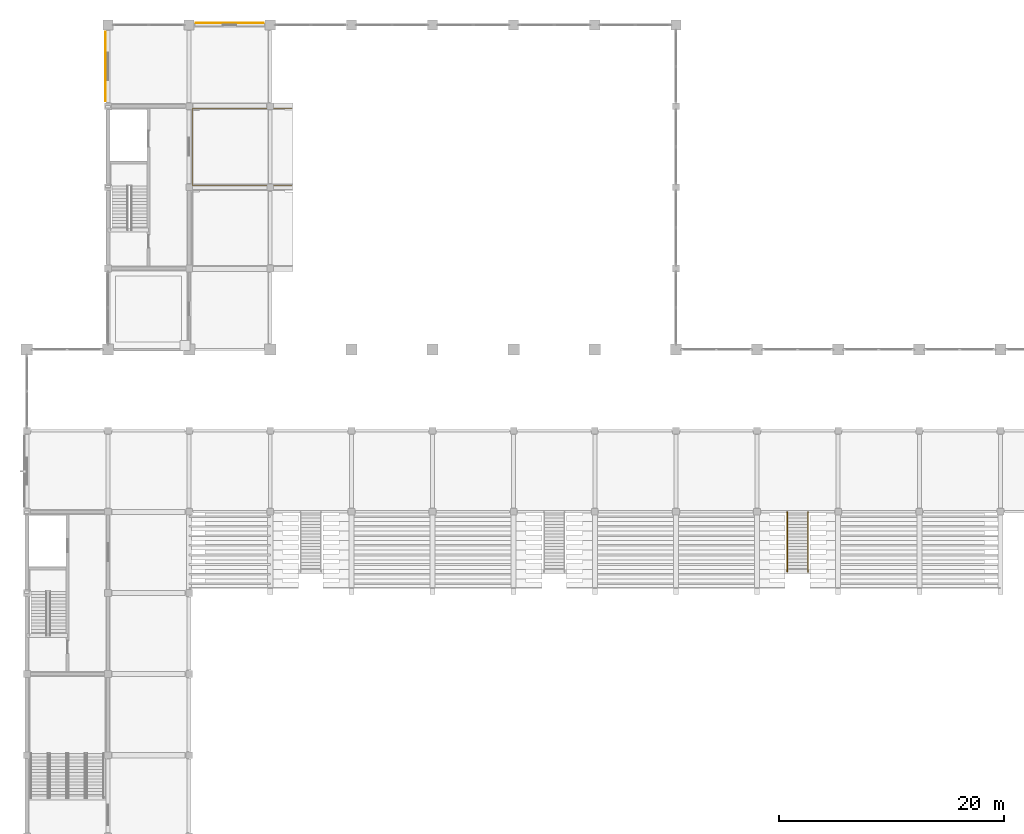
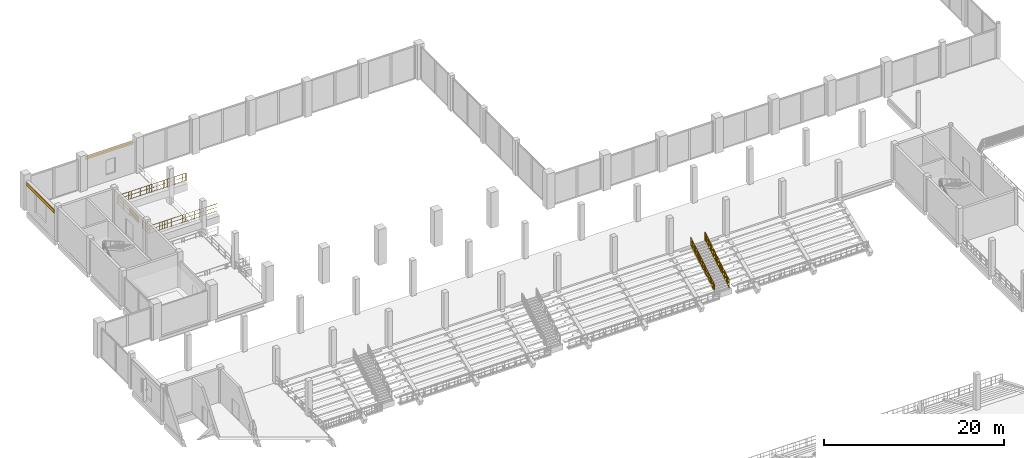
# One storey, part 92 of 99: 3 railings, 2 coverings.
"""IFC4 building model written with IfcOpenShell, lengths in metres."""

from ifc_helpers import new_model, si_unit, direction, frame, frame_2d, origin, origin_2d, place, context, subcontext, project, spatial, rectangle, circle, extrude, material, layer, layer_set, type_object, element, save


model = new_model("IFC4")

# Units and contexts
model_context = context("Model", 3, precision=1e-05, world=origin(), true_north=direction((0.0, 1.0)))
body_context = subcontext(model_context, "Body", "Model", "MODEL_VIEW")
ifc_project = project(units=[si_unit("LENGTHUNIT", "METRE"), si_unit("AREAUNIT", "SQUARE_METRE"), si_unit("VOLUMEUNIT", "CUBIC_METRE"), si_unit("PLANEANGLEUNIT", "RADIAN"), si_unit("MASSUNIT", "GRAM", prefix="KILO")], contexts=[model_context])

# Site, building, storey
site_placement = place(None, origin())
site = spatial("IfcSite", under=ifc_project, at=site_placement, CompositionType="ELEMENT")
building_placement = place(site_placement, origin())
building = spatial("IfcBuilding", under=site, at=building_placement, Name="Vesperath Aquatics Centre", CompositionType="ELEMENT")
storey_placement = place(building_placement, frame((0.0, 0.0, 5.39990234375)))
storey = spatial("IfcBuildingStorey", under=building, at=storey_placement, Name="L01", CompositionType="ELEMENT", Elevation=5.39990234375)

# Coverings
ifc_material_1 = material(Name="Teal and ochre glazed ceramic majolica frieze", Category="ceramic")
ifc_layer = layer(ifc_material_1, 0.0400390625)
ifc_layer_set = layer_set([ifc_layer], Name="Teal and ochre glazed ceramic majolica frieze")
covering_type = type_object("IfcCoveringType", Name="CV-CLD01", PredefinedType="CLADDING", material=ifc_layer_set)
covering_1_placement = place(storey_placement, frame((15.0, 115.39990234375, 3.64013671875), z_axis=(0.0, 0.0, 1.0), x_axis=(1.0, 0.0, 0.0)))
element("IfcCovering", 1, at=covering_1_placement, inside=storey, type_object=covering_type, Name="Majolica Ceramic Frieze CLD1 L01_N_02_16", PredefinedType="CLADDING", context=body_context, shape_type="SweptSolid", body=[
    extrude(rectangle(XDim=6.0, YDim=0.0400390625, at=frame_2d((3.0, 0.0))), origin(), (0.0, 0.0, 1.0), 0.469970703125),
])
covering_2_placement = place(storey_placement, frame((6.989990234375, 108.449951171875, 3.402099609375), z_axis=(0.0, 0.0, 1.0), x_axis=(0.0, 1.0, 0.0)))
element("IfcCovering", 2, at=covering_2_placement, inside=storey, type_object=covering_type, Name="Majolica Ceramic Frieze CLD1 L01_W_01_15", PredefinedType="CLADDING", context=body_context, shape_type="SweptSolid", body=[
    extrude(rectangle(XDim=6.150146484375, YDim=0.0400390625, at=frame_2d((3.0751953125, 0.0))), origin(), (0.0, 0.0, 1.0), 0.469970703125),
])

# Railings
ifc_material_2 = material(Name="Powder-coated galvanized steel safety guard", Category="steel")
railing_type = type_object("IfcRailingType", Name="RL-GRD01", PredefinedType="GUARDRAIL", material=ifc_material_2)
railing_1_placement = place(storey_placement, frame((67.47998046875, 66.679931640625, -3.199951171875)))
element("IfcRailing", 3, at=railing_1_placement, inside=storey, type_object=railing_type, Name="Vomitory VOM-06 Guardrail GR02-W", PredefinedType="GUARDRAIL", context=body_context, shape_type="SweptSolid", body=[
    extrude(circle(Radius=0.02392578125, at=origin_2d()), frame((0.0, 0.0, 1.0859375), z_axis=(0.0, 0.85693029826, 0.515432307801), x_axis=(-1.0, 0.0, 0.0)), (0.0, 0.0, 1.0), 6.208251953125),
    extrude(circle(Radius=0.01611328125, at=origin_2d()), frame((0.0, 0.0, 0.10009765625), z_axis=(0.0, 0.85693029826, 0.515432307801), x_axis=(-1.0, 0.0, 0.0)), (0.0, 0.0, 1.0), 6.208251953125),
    extrude(circle(Radius=0.01611328125, at=origin_2d()), frame((0.0, 0.0, 0.610595703125), z_axis=(0.0, 0.85693029826, 0.515432307801), x_axis=(-1.0, 0.0, 0.0)), (0.0, 0.0, 1.0), 6.208251953125),
    extrude(circle(Radius=0.009033203125, at=origin_2d()), frame((0.0, 0.09326171875, 0.15625)), (0.0, 0.0, 1.0), 0.9619140625),
    extrude(circle(Radius=0.009033203125, at=origin_2d()), frame((0.0, 0.280029296875, 0.2685546875)), (0.0, 0.0, 1.0), 0.9619140625),
    extrude(circle(Radius=0.009033203125, at=origin_2d()), frame((0.0, 0.466552734375, 0.380859375)), (0.0, 0.0, 1.0), 0.9619140625),
    extrude(circle(Radius=0.009033203125, at=origin_2d()), frame((0.0, 0.6533203125, 0.4931640625)), (0.0, 0.0, 1.0), 0.9619140625),
    extrude(circle(Radius=0.009033203125, at=origin_2d()), frame((0.0, 0.840087890625, 0.60546875)), (0.0, 0.0, 1.0), 0.9619140625),
    extrude(circle(Radius=0.009033203125, at=origin_2d()), frame((0.0, 1.026611328125, 0.717529296875)), (0.0, 0.0, 1.0), 0.9619140625),
    extrude(circle(Radius=0.009033203125, at=origin_2d()), frame((0.0, 1.21337890625, 0.829833984375)), (0.0, 0.0, 1.0), 0.9619140625),
    extrude(circle(Radius=0.009033203125, at=origin_2d()), frame((0.0, 1.39990234375, 0.942138671875)), (0.0, 0.0, 1.0), 0.9619140625),
    extrude(circle(Radius=0.009033203125, at=origin_2d()), frame((0.0, 1.586669921875, 1.054443359375)), (0.0, 0.0, 1.0), 0.9619140625),
    extrude(circle(Radius=0.009033203125, at=origin_2d()), frame((0.0, 1.7734375, 1.166748046875)), (0.0, 0.0, 1.0), 0.9619140625),
    extrude(circle(Radius=0.009033203125, at=origin_2d()), frame((0.0, 1.9599609375, 1.279052734375)), (0.0, 0.0, 1.0), 0.9619140625),
    extrude(circle(Radius=0.009033203125, at=origin_2d()), frame((0.0, 2.146728515625, 1.391357421875)), (0.0, 0.0, 1.0), 0.9619140625),
    extrude(circle(Radius=0.009033203125, at=origin_2d()), frame((0.0, 2.333251953125, 1.503662109375)), (0.0, 0.0, 1.0), 0.9619140625),
    extrude(circle(Radius=0.009033203125, at=origin_2d()), frame((0.0, 2.52001953125, 1.615966796875)), (0.0, 0.0, 1.0), 0.9619140625),
    extrude(circle(Radius=0.009033203125, at=origin_2d()), frame((0.0, 2.706787109375, 1.72802734375)), (0.0, 0.0, 1.0), 0.9619140625),
    extrude(circle(Radius=0.009033203125, at=origin_2d()), frame((0.0, 2.893310546875, 1.84033203125)), (0.0, 0.0, 1.0), 0.9619140625),
    extrude(circle(Radius=0.009033203125, at=origin_2d()), frame((0.0, 3.080078125, 1.95263671875)), (0.0, 0.0, 1.0), 0.9619140625),
    extrude(circle(Radius=0.009033203125, at=origin_2d()), frame((0.0, 3.2666015625, 2.06494140625)), (0.0, 0.0, 1.0), 0.9619140625),
    extrude(circle(Radius=0.009033203125, at=origin_2d()), frame((0.0, 3.453369140625, 2.17724609375)), (0.0, 0.0, 1.0), 0.9619140625),
    extrude(circle(Radius=0.009033203125, at=origin_2d()), frame((0.0, 3.64013671875, 2.28955078125)), (0.0, 0.0, 1.0), 0.9619140625),
    extrude(circle(Radius=0.009033203125, at=origin_2d()), frame((0.0, 3.82666015625, 2.40185546875)), (0.0, 0.0, 1.0), 0.9619140625),
    extrude(circle(Radius=0.009033203125, at=origin_2d()), frame((0.0, 4.013427734375, 2.51416015625)), (0.0, 0.0, 1.0), 0.9619140625),
    extrude(circle(Radius=0.009033203125, at=origin_2d()), frame((0.0, 4.199951171875, 2.62646484375)), (0.0, 0.0, 1.0), 0.9619140625),
    extrude(circle(Radius=0.009033203125, at=origin_2d()), frame((0.0, 4.38671875, 2.73876953125)), (0.0, 0.0, 1.0), 0.9619140625),
    extrude(circle(Radius=0.009033203125, at=origin_2d()), frame((0.0, 4.573486328125, 2.850830078125)), (0.0, 0.0, 1.0), 0.9619140625),
    extrude(circle(Radius=0.009033203125, at=origin_2d()), frame((0.0, 4.760009765625, 2.963134765625)), (0.0, 0.0, 1.0), 0.9619140625),
    extrude(circle(Radius=0.009033203125, at=origin_2d()), frame((0.0, 4.94677734375, 3.075439453125)), (0.0, 0.0, 1.0), 0.9619140625),
    extrude(circle(Radius=0.009033203125, at=origin_2d()), frame((0.0, 5.13330078125, 3.187744140625)), (0.0, 0.0, 1.0), 0.9619140625),
    extrude(circle(Radius=0.02197265625, at=origin_2d()), origin(), (0.0, 0.0, 1.0), 1.0859375),
    extrude(circle(Radius=0.02197265625, at=origin_2d()), frame((0.0, 0.88671875, 0.533203125)), (0.0, 0.0, 1.0), 1.0859375),
    extrude(circle(Radius=0.02197265625, at=origin_2d()), frame((0.0, 1.7734375, 1.066650390625)), (0.0, 0.0, 1.0), 1.0859375),
    extrude(circle(Radius=0.02197265625, at=origin_2d()), frame((0.0, 2.66015625, 1.60009765625)), (0.0, 0.0, 1.0), 1.0859375),
    extrude(circle(Radius=0.02197265625, at=origin_2d()), frame((0.0, 3.546630859375, 2.13330078125)), (0.0, 0.0, 1.0), 1.0859375),
    extrude(circle(Radius=0.02197265625, at=origin_2d()), frame((0.0, 4.433349609375, 2.66650390625)), (0.0, 0.0, 1.0), 1.0859375),
    extrude(circle(Radius=0.02197265625, at=origin_2d()), frame((0.0, 5.320068359375, 3.199951171875)), (0.0, 0.0, 1.0), 1.0859375),
])
railing_2_placement = place(storey_placement, frame((69.320068359375, 66.679931640625, -3.199951171875)))
element("IfcRailing", 4, at=railing_2_placement, inside=storey, type_object=railing_type, Name="Vomitory VOM-06 Guardrail GR02-E", PredefinedType="GUARDRAIL", context=body_context, shape_type="SweptSolid", body=[
    extrude(circle(Radius=0.02392578125, at=origin_2d()), frame((0.0, 0.0, 1.0859375), z_axis=(0.0, 0.85693029826, 0.515432307801), x_axis=(-1.0, 0.0, 0.0)), (0.0, 0.0, 1.0), 6.208251953125),
    extrude(circle(Radius=0.01611328125, at=origin_2d()), frame((0.0, 0.0, 0.10009765625), z_axis=(0.0, 0.85693029826, 0.515432307801), x_axis=(-1.0, 0.0, 0.0)), (0.0, 0.0, 1.0), 6.208251953125),
    extrude(circle(Radius=0.01611328125, at=origin_2d()), frame((0.0, 0.0, 0.610595703125), z_axis=(0.0, 0.85693029826, 0.515432307801), x_axis=(-1.0, 0.0, 0.0)), (0.0, 0.0, 1.0), 6.208251953125),
    extrude(circle(Radius=0.009033203125, at=origin_2d()), frame((0.0, 0.09326171875, 0.15625)), (0.0, 0.0, 1.0), 0.9619140625),
    extrude(circle(Radius=0.009033203125, at=origin_2d()), frame((0.0, 0.280029296875, 0.2685546875)), (0.0, 0.0, 1.0), 0.9619140625),
    extrude(circle(Radius=0.009033203125, at=origin_2d()), frame((0.0, 0.466552734375, 0.380859375)), (0.0, 0.0, 1.0), 0.9619140625),
    extrude(circle(Radius=0.009033203125, at=origin_2d()), frame((0.0, 0.6533203125, 0.4931640625)), (0.0, 0.0, 1.0), 0.9619140625),
    extrude(circle(Radius=0.009033203125, at=origin_2d()), frame((0.0, 0.840087890625, 0.60546875)), (0.0, 0.0, 1.0), 0.9619140625),
    extrude(circle(Radius=0.009033203125, at=origin_2d()), frame((0.0, 1.026611328125, 0.717529296875)), (0.0, 0.0, 1.0), 0.9619140625),
    extrude(circle(Radius=0.009033203125, at=origin_2d()), frame((0.0, 1.21337890625, 0.829833984375)), (0.0, 0.0, 1.0), 0.9619140625),
    extrude(circle(Radius=0.009033203125, at=origin_2d()), frame((0.0, 1.39990234375, 0.942138671875)), (0.0, 0.0, 1.0), 0.9619140625),
    extrude(circle(Radius=0.009033203125, at=origin_2d()), frame((0.0, 1.586669921875, 1.054443359375)), (0.0, 0.0, 1.0), 0.9619140625),
    extrude(circle(Radius=0.009033203125, at=origin_2d()), frame((0.0, 1.7734375, 1.166748046875)), (0.0, 0.0, 1.0), 0.9619140625),
    extrude(circle(Radius=0.009033203125, at=origin_2d()), frame((0.0, 1.9599609375, 1.279052734375)), (0.0, 0.0, 1.0), 0.9619140625),
    extrude(circle(Radius=0.009033203125, at=origin_2d()), frame((0.0, 2.146728515625, 1.391357421875)), (0.0, 0.0, 1.0), 0.9619140625),
    extrude(circle(Radius=0.009033203125, at=origin_2d()), frame((0.0, 2.333251953125, 1.503662109375)), (0.0, 0.0, 1.0), 0.9619140625),
    extrude(circle(Radius=0.009033203125, at=origin_2d()), frame((0.0, 2.52001953125, 1.615966796875)), (0.0, 0.0, 1.0), 0.9619140625),
    extrude(circle(Radius=0.009033203125, at=origin_2d()), frame((0.0, 2.706787109375, 1.72802734375)), (0.0, 0.0, 1.0), 0.9619140625),
    extrude(circle(Radius=0.009033203125, at=origin_2d()), frame((0.0, 2.893310546875, 1.84033203125)), (0.0, 0.0, 1.0), 0.9619140625),
    extrude(circle(Radius=0.009033203125, at=origin_2d()), frame((0.0, 3.080078125, 1.95263671875)), (0.0, 0.0, 1.0), 0.9619140625),
    extrude(circle(Radius=0.009033203125, at=origin_2d()), frame((0.0, 3.2666015625, 2.06494140625)), (0.0, 0.0, 1.0), 0.9619140625),
    extrude(circle(Radius=0.009033203125, at=origin_2d()), frame((0.0, 3.453369140625, 2.17724609375)), (0.0, 0.0, 1.0), 0.9619140625),
    extrude(circle(Radius=0.009033203125, at=origin_2d()), frame((0.0, 3.64013671875, 2.28955078125)), (0.0, 0.0, 1.0), 0.9619140625),
    extrude(circle(Radius=0.009033203125, at=origin_2d()), frame((0.0, 3.82666015625, 2.40185546875)), (0.0, 0.0, 1.0), 0.9619140625),
    extrude(circle(Radius=0.009033203125, at=origin_2d()), frame((0.0, 4.013427734375, 2.51416015625)), (0.0, 0.0, 1.0), 0.9619140625),
    extrude(circle(Radius=0.009033203125, at=origin_2d()), frame((0.0, 4.199951171875, 2.62646484375)), (0.0, 0.0, 1.0), 0.9619140625),
    extrude(circle(Radius=0.009033203125, at=origin_2d()), frame((0.0, 4.38671875, 2.73876953125)), (0.0, 0.0, 1.0), 0.9619140625),
    extrude(circle(Radius=0.009033203125, at=origin_2d()), frame((0.0, 4.573486328125, 2.850830078125)), (0.0, 0.0, 1.0), 0.9619140625),
    extrude(circle(Radius=0.009033203125, at=origin_2d()), frame((0.0, 4.760009765625, 2.963134765625)), (0.0, 0.0, 1.0), 0.9619140625),
    extrude(circle(Radius=0.009033203125, at=origin_2d()), frame((0.0, 4.94677734375, 3.075439453125)), (0.0, 0.0, 1.0), 0.9619140625),
    extrude(circle(Radius=0.009033203125, at=origin_2d()), frame((0.0, 5.13330078125, 3.187744140625)), (0.0, 0.0, 1.0), 0.9619140625),
    extrude(circle(Radius=0.02197265625, at=origin_2d()), origin(), (0.0, 0.0, 1.0), 1.0859375),
    extrude(circle(Radius=0.02197265625, at=origin_2d()), frame((0.0, 0.88671875, 0.533203125)), (0.0, 0.0, 1.0), 1.0859375),
    extrude(circle(Radius=0.02197265625, at=origin_2d()), frame((0.0, 1.7734375, 1.066650390625)), (0.0, 0.0, 1.0), 1.0859375),
    extrude(circle(Radius=0.02197265625, at=origin_2d()), frame((0.0, 2.66015625, 1.60009765625)), (0.0, 0.0, 1.0), 1.0859375),
    extrude(circle(Radius=0.02197265625, at=origin_2d()), frame((0.0, 3.546630859375, 2.13330078125)), (0.0, 0.0, 1.0), 1.0859375),
    extrude(circle(Radius=0.02197265625, at=origin_2d()), frame((0.0, 4.433349609375, 2.66650390625)), (0.0, 0.0, 1.0), 1.0859375),
    extrude(circle(Radius=0.02197265625, at=origin_2d()), frame((0.0, 5.320068359375, 3.199951171875)), (0.0, 0.0, 1.0), 1.0859375),
])
railing_3_placement = place(storey_placement, frame((23.5, 100.949951171875, 2.400146484375)))
element("IfcRailing", 5, at=railing_3_placement, inside=storey, type_object=railing_type, Name="Safety Guardrail GR02 GRD_DP_7M5", PredefinedType="GUARDRAIL", context=body_context, shape_type="SweptSolid", body=[
    extrude(circle(Radius=0.02392578125, at=origin_2d()), frame((0.0, 0.0, 1.0859375), z_axis=(-1.0, 0.0, 0.0), x_axis=(0.0, -1.0, 0.0)), (0.0, 0.0, 1.0), 8.780029296875),
    extrude(circle(Radius=0.01611328125, at=origin_2d()), frame((0.0, 0.0, 0.10009765625), z_axis=(-1.0, 0.0, 0.0), x_axis=(0.0, -1.0, 0.0)), (0.0, 0.0, 1.0), 8.780029296875),
    extrude(circle(Radius=0.01611328125, at=origin_2d()), frame((0.0, 0.0, 0.610595703125), z_axis=(-1.0, 0.0, 0.0), x_axis=(0.0, -1.0, 0.0)), (0.0, 0.0, 1.0), 8.780029296875),
    extrude(circle(Radius=0.009033203125, at=origin_2d()), frame((-0.10986328125, 0.0, 0.10009765625)), (0.0, 0.0, 1.0), 0.9619140625),
    extrude(circle(Radius=0.009033203125, at=origin_2d()), frame((-0.43896484375, 0.0, 0.10009765625)), (0.0, 0.0, 1.0), 0.9619140625),
    extrude(circle(Radius=0.009033203125, at=origin_2d()), frame((-0.768310546875, 0.0, 0.10009765625)), (0.0, 0.0, 1.0), 0.9619140625),
    extrude(circle(Radius=0.009033203125, at=origin_2d()), frame((-1.097412109375, 0.0, 0.10009765625)), (0.0, 0.0, 1.0), 0.9619140625),
    extrude(circle(Radius=0.009033203125, at=origin_2d()), frame((-1.4267578125, 0.0, 0.10009765625)), (0.0, 0.0, 1.0), 0.9619140625),
    extrude(circle(Radius=0.009033203125, at=origin_2d()), frame((-1.756103515625, 0.0, 0.10009765625)), (0.0, 0.0, 1.0), 0.9619140625),
    extrude(circle(Radius=0.009033203125, at=origin_2d()), frame((-2.085205078125, 0.0, 0.10009765625)), (0.0, 0.0, 1.0), 0.9619140625),
    extrude(circle(Radius=0.009033203125, at=origin_2d()), frame((-2.41455078125, 0.0, 0.10009765625)), (0.0, 0.0, 1.0), 0.9619140625),
    extrude(circle(Radius=0.009033203125, at=origin_2d()), frame((-2.74365234375, 0.0, 0.10009765625)), (0.0, 0.0, 1.0), 0.9619140625),
    extrude(circle(Radius=0.009033203125, at=origin_2d()), frame((-3.072998046875, 0.0, 0.10009765625)), (0.0, 0.0, 1.0), 0.9619140625),
    extrude(circle(Radius=0.009033203125, at=origin_2d()), frame((-3.40234375, 0.0, 0.10009765625)), (0.0, 0.0, 1.0), 0.9619140625),
    extrude(circle(Radius=0.009033203125, at=origin_2d()), frame((-3.7314453125, 0.0, 0.10009765625)), (0.0, 0.0, 1.0), 0.9619140625),
    extrude(circle(Radius=0.009033203125, at=origin_2d()), frame((-4.060791015625, 0.0, 0.10009765625)), (0.0, 0.0, 1.0), 0.9619140625),
    extrude(circle(Radius=0.009033203125, at=origin_2d()), frame((-4.39013671875, 0.0, 0.10009765625)), (0.0, 0.0, 1.0), 0.9619140625),
    extrude(circle(Radius=0.009033203125, at=origin_2d()), frame((-4.71923828125, 0.0, 0.10009765625)), (0.0, 0.0, 1.0), 0.9619140625),
    extrude(circle(Radius=0.009033203125, at=origin_2d()), frame((-5.048583984375, 0.0, 0.10009765625)), (0.0, 0.0, 1.0), 0.9619140625),
    extrude(circle(Radius=0.009033203125, at=origin_2d()), frame((-5.377685546875, 0.0, 0.10009765625)), (0.0, 0.0, 1.0), 0.9619140625),
    extrude(circle(Radius=0.009033203125, at=origin_2d()), frame((-5.70703125, 0.0, 0.10009765625)), (0.0, 0.0, 1.0), 0.9619140625),
    extrude(circle(Radius=0.009033203125, at=origin_2d()), frame((-6.036376953125, 0.0, 0.10009765625)), (0.0, 0.0, 1.0), 0.9619140625),
    extrude(circle(Radius=0.009033203125, at=origin_2d()), frame((-6.365478515625, 0.0, 0.10009765625)), (0.0, 0.0, 1.0), 0.9619140625),
    extrude(circle(Radius=0.009033203125, at=origin_2d()), frame((-6.69482421875, 0.0, 0.10009765625)), (0.0, 0.0, 1.0), 0.9619140625),
    extrude(circle(Radius=0.009033203125, at=origin_2d()), frame((-7.02392578125, 0.0, 0.10009765625)), (0.0, 0.0, 1.0), 0.9619140625),
    extrude(circle(Radius=0.009033203125, at=origin_2d()), frame((-7.353271484375, 0.0, 0.10009765625)), (0.0, 0.0, 1.0), 0.9619140625),
    extrude(circle(Radius=0.009033203125, at=origin_2d()), frame((-7.6826171875, 0.0, 0.10009765625)), (0.0, 0.0, 1.0), 0.9619140625),
    extrude(circle(Radius=0.009033203125, at=origin_2d()), frame((-8.01171875, 0.0, 0.10009765625)), (0.0, 0.0, 1.0), 0.9619140625),
    extrude(circle(Radius=0.009033203125, at=origin_2d()), frame((-8.341064453125, 0.0, 0.10009765625)), (0.0, 0.0, 1.0), 0.9619140625),
    extrude(circle(Radius=0.009033203125, at=origin_2d()), frame((-8.670166015625, 0.0, 0.10009765625)), (0.0, 0.0, 1.0), 0.9619140625),
    extrude(circle(Radius=0.02392578125, at=origin_2d()), frame((-8.780029296875, 0.0, 1.0859375), z_axis=(0.0, 1.0, 0.0), x_axis=(-1.0, 0.0, 0.0)), (0.0, 0.0, 1.0), 6.85009765625),
    extrude(circle(Radius=0.01611328125, at=origin_2d()), frame((-8.780029296875, 0.0, 0.10009765625), z_axis=(0.0, 1.0, 0.0), x_axis=(-1.0, 0.0, 0.0)), (0.0, 0.0, 1.0), 6.85009765625),
    extrude(circle(Radius=0.01611328125, at=origin_2d()), frame((-8.780029296875, 0.0, 0.610595703125), z_axis=(0.0, 1.0, 0.0), x_axis=(-1.0, 0.0, 0.0)), (0.0, 0.0, 1.0), 6.85009765625),
    extrude(circle(Radius=0.009033203125, at=origin_2d()), frame((-8.780029296875, 0.108642578125, 0.10009765625)), (0.0, 0.0, 1.0), 0.9619140625),
    extrude(circle(Radius=0.009033203125, at=origin_2d()), frame((-8.780029296875, 0.326171875, 0.10009765625)), (0.0, 0.0, 1.0), 0.9619140625),
    extrude(circle(Radius=0.009033203125, at=origin_2d()), frame((-8.780029296875, 0.543701171875, 0.10009765625)), (0.0, 0.0, 1.0), 0.9619140625),
    extrude(circle(Radius=0.009033203125, at=origin_2d()), frame((-8.780029296875, 0.76123046875, 0.10009765625)), (0.0, 0.0, 1.0), 0.9619140625),
    extrude(circle(Radius=0.009033203125, at=origin_2d()), frame((-8.780029296875, 0.978515625, 0.10009765625)), (0.0, 0.0, 1.0), 0.9619140625),
    extrude(circle(Radius=0.009033203125, at=origin_2d()), frame((-8.780029296875, 1.196044921875, 0.10009765625)), (0.0, 0.0, 1.0), 0.9619140625),
    extrude(circle(Radius=0.009033203125, at=origin_2d()), frame((-8.780029296875, 1.41357421875, 0.10009765625)), (0.0, 0.0, 1.0), 0.9619140625),
    extrude(circle(Radius=0.009033203125, at=origin_2d()), frame((-8.780029296875, 1.630859375, 0.10009765625)), (0.0, 0.0, 1.0), 0.9619140625),
    extrude(circle(Radius=0.009033203125, at=origin_2d()), frame((-8.780029296875, 1.848388671875, 0.10009765625)), (0.0, 0.0, 1.0), 0.9619140625),
    extrude(circle(Radius=0.009033203125, at=origin_2d()), frame((-8.780029296875, 2.06591796875, 0.10009765625)), (0.0, 0.0, 1.0), 0.9619140625),
    extrude(circle(Radius=0.009033203125, at=origin_2d()), frame((-8.780029296875, 2.283447265625, 0.10009765625)), (0.0, 0.0, 1.0), 0.9619140625),
    extrude(circle(Radius=0.009033203125, at=origin_2d()), frame((-8.780029296875, 2.500732421875, 0.10009765625)), (0.0, 0.0, 1.0), 0.9619140625),
    extrude(circle(Radius=0.009033203125, at=origin_2d()), frame((-8.780029296875, 2.71826171875, 0.10009765625)), (0.0, 0.0, 1.0), 0.9619140625),
    extrude(circle(Radius=0.009033203125, at=origin_2d()), frame((-8.780029296875, 2.935791015625, 0.10009765625)), (0.0, 0.0, 1.0), 0.9619140625),
    extrude(circle(Radius=0.009033203125, at=origin_2d()), frame((-8.780029296875, 3.1533203125, 0.10009765625)), (0.0, 0.0, 1.0), 0.9619140625),
    extrude(circle(Radius=0.009033203125, at=origin_2d()), frame((-8.780029296875, 3.37060546875, 0.10009765625)), (0.0, 0.0, 1.0), 0.9619140625),
    extrude(circle(Radius=0.009033203125, at=origin_2d()), frame((-8.780029296875, 3.588134765625, 0.10009765625)), (0.0, 0.0, 1.0), 0.9619140625),
    extrude(circle(Radius=0.009033203125, at=origin_2d()), frame((-8.780029296875, 3.8056640625, 0.10009765625)), (0.0, 0.0, 1.0), 0.9619140625),
    extrude(circle(Radius=0.009033203125, at=origin_2d()), frame((-8.780029296875, 4.023193359375, 0.10009765625)), (0.0, 0.0, 1.0), 0.9619140625),
    extrude(circle(Radius=0.009033203125, at=origin_2d()), frame((-8.780029296875, 4.240478515625, 0.10009765625)), (0.0, 0.0, 1.0), 0.9619140625),
    extrude(circle(Radius=0.009033203125, at=origin_2d()), frame((-8.780029296875, 4.4580078125, 0.10009765625)), (0.0, 0.0, 1.0), 0.9619140625),
    extrude(circle(Radius=0.009033203125, at=origin_2d()), frame((-8.780029296875, 4.675537109375, 0.10009765625)), (0.0, 0.0, 1.0), 0.9619140625),
    extrude(circle(Radius=0.009033203125, at=origin_2d()), frame((-8.780029296875, 4.892822265625, 0.10009765625)), (0.0, 0.0, 1.0), 0.9619140625),
    extrude(circle(Radius=0.009033203125, at=origin_2d()), frame((-8.780029296875, 5.1103515625, 0.10009765625)), (0.0, 0.0, 1.0), 0.9619140625),
    extrude(circle(Radius=0.009033203125, at=origin_2d()), frame((-8.780029296875, 5.327880859375, 0.10009765625)), (0.0, 0.0, 1.0), 0.9619140625),
    extrude(circle(Radius=0.009033203125, at=origin_2d()), frame((-8.780029296875, 5.54541015625, 0.10009765625)), (0.0, 0.0, 1.0), 0.9619140625),
    extrude(circle(Radius=0.009033203125, at=origin_2d()), frame((-8.780029296875, 5.7626953125, 0.10009765625)), (0.0, 0.0, 1.0), 0.9619140625),
    extrude(circle(Radius=0.009033203125, at=origin_2d()), frame((-8.780029296875, 5.980224609375, 0.10009765625)), (0.0, 0.0, 1.0), 0.9619140625),
    extrude(circle(Radius=0.009033203125, at=origin_2d()), frame((-8.780029296875, 6.19775390625, 0.10009765625)), (0.0, 0.0, 1.0), 0.9619140625),
    extrude(circle(Radius=0.009033203125, at=origin_2d()), frame((-8.780029296875, 6.415283203125, 0.10009765625)), (0.0, 0.0, 1.0), 0.9619140625),
    extrude(circle(Radius=0.009033203125, at=origin_2d()), frame((-8.780029296875, 6.632568359375, 0.10009765625)), (0.0, 0.0, 1.0), 0.9619140625),
    extrude(circle(Radius=0.02392578125, at=origin_2d()), frame((-8.780029296875, 6.85009765625, 1.0859375), z_axis=(1.0, 0.0, 0.0), x_axis=(0.0, 1.0, 0.0)), (0.0, 0.0, 1.0), 8.780029296875),
    extrude(circle(Radius=0.01611328125, at=origin_2d()), frame((-8.780029296875, 6.85009765625, 0.10009765625), z_axis=(1.0, 0.0, 0.0), x_axis=(0.0, 1.0, 0.0)), (0.0, 0.0, 1.0), 8.780029296875),
    extrude(circle(Radius=0.01611328125, at=origin_2d()), frame((-8.780029296875, 6.85009765625, 0.610595703125), z_axis=(1.0, 0.0, 0.0), x_axis=(0.0, 1.0, 0.0)), (0.0, 0.0, 1.0), 8.780029296875),
    extrude(circle(Radius=0.009033203125, at=origin_2d()), frame((-8.670166015625, 6.85009765625, 0.10009765625)), (0.0, 0.0, 1.0), 0.9619140625),
    extrude(circle(Radius=0.009033203125, at=origin_2d()), frame((-8.341064453125, 6.85009765625, 0.10009765625)), (0.0, 0.0, 1.0), 0.9619140625),
    extrude(circle(Radius=0.009033203125, at=origin_2d()), frame((-8.01171875, 6.85009765625, 0.10009765625)), (0.0, 0.0, 1.0), 0.9619140625),
    extrude(circle(Radius=0.009033203125, at=origin_2d()), frame((-7.6826171875, 6.85009765625, 0.10009765625)), (0.0, 0.0, 1.0), 0.9619140625),
    extrude(circle(Radius=0.009033203125, at=origin_2d()), frame((-7.353271484375, 6.85009765625, 0.10009765625)), (0.0, 0.0, 1.0), 0.9619140625),
    extrude(circle(Radius=0.009033203125, at=origin_2d()), frame((-7.02392578125, 6.85009765625, 0.10009765625)), (0.0, 0.0, 1.0), 0.9619140625),
    extrude(circle(Radius=0.009033203125, at=origin_2d()), frame((-6.69482421875, 6.85009765625, 0.10009765625)), (0.0, 0.0, 1.0), 0.9619140625),
    extrude(circle(Radius=0.009033203125, at=origin_2d()), frame((-6.365478515625, 6.85009765625, 0.10009765625)), (0.0, 0.0, 1.0), 0.9619140625),
    extrude(circle(Radius=0.009033203125, at=origin_2d()), frame((-6.036376953125, 6.85009765625, 0.10009765625)), (0.0, 0.0, 1.0), 0.9619140625),
    extrude(circle(Radius=0.009033203125, at=origin_2d()), frame((-5.70703125, 6.85009765625, 0.10009765625)), (0.0, 0.0, 1.0), 0.9619140625),
    extrude(circle(Radius=0.009033203125, at=origin_2d()), frame((-5.377685546875, 6.85009765625, 0.10009765625)), (0.0, 0.0, 1.0), 0.9619140625),
    extrude(circle(Radius=0.009033203125, at=origin_2d()), frame((-5.048583984375, 6.85009765625, 0.10009765625)), (0.0, 0.0, 1.0), 0.9619140625),
    extrude(circle(Radius=0.009033203125, at=origin_2d()), frame((-4.71923828125, 6.85009765625, 0.10009765625)), (0.0, 0.0, 1.0), 0.9619140625),
    extrude(circle(Radius=0.009033203125, at=origin_2d()), frame((-4.39013671875, 6.85009765625, 0.10009765625)), (0.0, 0.0, 1.0), 0.9619140625),
    extrude(circle(Radius=0.009033203125, at=origin_2d()), frame((-4.060791015625, 6.85009765625, 0.10009765625)), (0.0, 0.0, 1.0), 0.9619140625),
    extrude(circle(Radius=0.009033203125, at=origin_2d()), frame((-3.7314453125, 6.85009765625, 0.10009765625)), (0.0, 0.0, 1.0), 0.9619140625),
    extrude(circle(Radius=0.009033203125, at=origin_2d()), frame((-3.40234375, 6.85009765625, 0.10009765625)), (0.0, 0.0, 1.0), 0.9619140625),
    extrude(circle(Radius=0.009033203125, at=origin_2d()), frame((-3.072998046875, 6.85009765625, 0.10009765625)), (0.0, 0.0, 1.0), 0.9619140625),
    extrude(circle(Radius=0.009033203125, at=origin_2d()), frame((-2.74365234375, 6.85009765625, 0.10009765625)), (0.0, 0.0, 1.0), 0.9619140625),
    extrude(circle(Radius=0.009033203125, at=origin_2d()), frame((-2.41455078125, 6.85009765625, 0.10009765625)), (0.0, 0.0, 1.0), 0.9619140625),
    extrude(circle(Radius=0.009033203125, at=origin_2d()), frame((-2.085205078125, 6.85009765625, 0.10009765625)), (0.0, 0.0, 1.0), 0.9619140625),
    extrude(circle(Radius=0.009033203125, at=origin_2d()), frame((-1.756103515625, 6.85009765625, 0.10009765625)), (0.0, 0.0, 1.0), 0.9619140625),
    extrude(circle(Radius=0.009033203125, at=origin_2d()), frame((-1.4267578125, 6.85009765625, 0.10009765625)), (0.0, 0.0, 1.0), 0.9619140625),
    extrude(circle(Radius=0.009033203125, at=origin_2d()), frame((-1.097412109375, 6.85009765625, 0.10009765625)), (0.0, 0.0, 1.0), 0.9619140625),
    extrude(circle(Radius=0.009033203125, at=origin_2d()), frame((-0.768310546875, 6.85009765625, 0.10009765625)), (0.0, 0.0, 1.0), 0.9619140625),
    extrude(circle(Radius=0.009033203125, at=origin_2d()), frame((-0.43896484375, 6.85009765625, 0.10009765625)), (0.0, 0.0, 1.0), 0.9619140625),
    extrude(circle(Radius=0.009033203125, at=origin_2d()), frame((-0.10986328125, 6.85009765625, 0.10009765625)), (0.0, 0.0, 1.0), 0.9619140625),
    extrude(circle(Radius=0.02197265625, at=origin_2d()), origin(), (0.0, 0.0, 1.0), 1.0859375),
    extrude(circle(Radius=0.02197265625, at=origin_2d()), frame((-1.46337890625, 0.0, 0.0)), (0.0, 0.0, 1.0), 1.0859375),
    extrude(circle(Radius=0.02197265625, at=origin_2d()), frame((-2.9267578125, 0.0, 0.0)), (0.0, 0.0, 1.0), 1.0859375),
    extrude(circle(Radius=0.02197265625, at=origin_2d()), frame((-4.39013671875, 0.0, 0.0)), (0.0, 0.0, 1.0), 1.0859375),
    extrude(circle(Radius=0.02197265625, at=origin_2d()), frame((-5.853271484375, 0.0, 0.0)), (0.0, 0.0, 1.0), 1.0859375),
    extrude(circle(Radius=0.02197265625, at=origin_2d()), frame((-7.316650390625, 0.0, 0.0)), (0.0, 0.0, 1.0), 1.0859375),
    extrude(circle(Radius=0.02197265625, at=origin_2d()), frame((-8.780029296875, 0.0, 0.0)), (0.0, 0.0, 1.0), 1.0859375),
    extrude(circle(Radius=0.02197265625, at=origin_2d()), frame((-8.780029296875, 1.3701171875, 0.0)), (0.0, 0.0, 1.0), 1.0859375),
    extrude(circle(Radius=0.02197265625, at=origin_2d()), frame((-8.780029296875, 2.739990234375, 0.0)), (0.0, 0.0, 1.0), 1.0859375),
    extrude(circle(Radius=0.02197265625, at=origin_2d()), frame((-8.780029296875, 4.110107421875, 0.0)), (0.0, 0.0, 1.0), 1.0859375),
    extrude(circle(Radius=0.02197265625, at=origin_2d()), frame((-8.780029296875, 5.47998046875, 0.0)), (0.0, 0.0, 1.0), 1.0859375),
    extrude(circle(Radius=0.02197265625, at=origin_2d()), frame((-8.780029296875, 6.85009765625, 0.0)), (0.0, 0.0, 1.0), 1.0859375),
    extrude(circle(Radius=0.02197265625, at=origin_2d()), frame((-7.316650390625, 6.85009765625, 0.0)), (0.0, 0.0, 1.0), 1.0859375),
    extrude(circle(Radius=0.02197265625, at=origin_2d()), frame((-5.853271484375, 6.85009765625, 0.0)), (0.0, 0.0, 1.0), 1.0859375),
    extrude(circle(Radius=0.02197265625, at=origin_2d()), frame((-4.39013671875, 6.85009765625, 0.0)), (0.0, 0.0, 1.0), 1.0859375),
    extrude(circle(Radius=0.02197265625, at=origin_2d()), frame((-2.9267578125, 6.85009765625, 0.0)), (0.0, 0.0, 1.0), 1.0859375),
    extrude(circle(Radius=0.02197265625, at=origin_2d()), frame((-1.46337890625, 6.85009765625, 0.0)), (0.0, 0.0, 1.0), 1.0859375),
    extrude(circle(Radius=0.02197265625, at=origin_2d()), frame((0.0, 6.85009765625, 0.0)), (0.0, 0.0, 1.0), 1.0859375),
])

save(model, "model.ifc")
